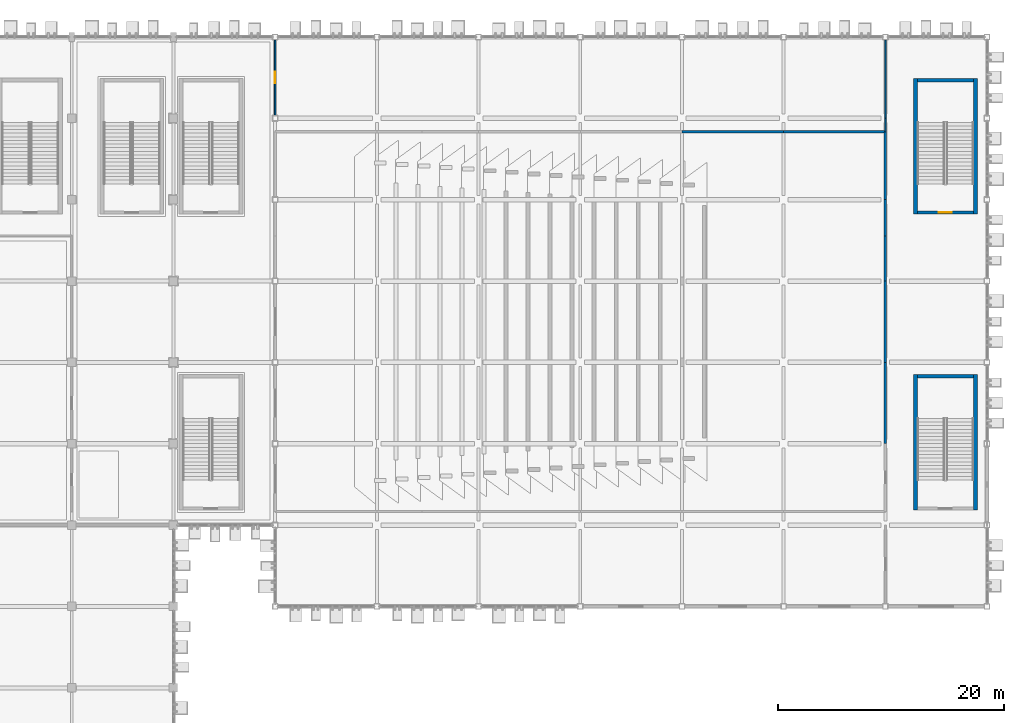
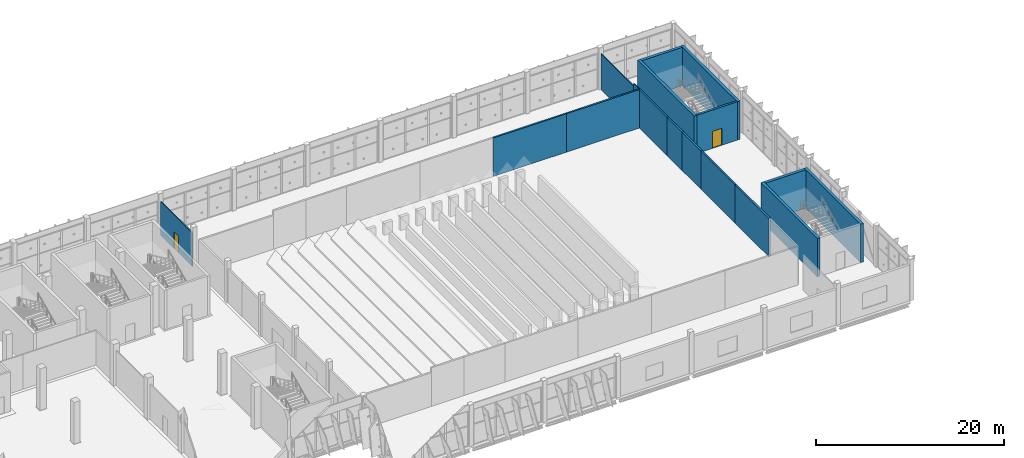
# One storey, part 143 of 189: 17 walls, 2 doors, 2 openings.
"""IFC4 building model written with IfcOpenShell, lengths in metres."""

import ifcopenshell
import ifcopenshell.guid

model = None  # the IFC model being written
_history = None  # IfcOwnerHistory: only IFC2X3 demands one
_inside = {}  # id of a spatial element -> (the spatial element, [elements in it])
_under = {}  # id of a project, library or spatial element -> (it, [spatial elements below it])
_declared = {}  # id of a project -> (the project, [libraries it declares])
_typed = {}  # id of a type object -> (the type object, [elements of that type])
_made_of = {}  # id of a material, layer set ... -> (it, [elements and type objects made of it])


def new_model(schema):
    """Start an empty IFC model of exactly this schema.

    Asked for "IFC4X3", IfcOpenShell would pick the latest addendum, in which some entities
    have other attributes; the version numbers below select the first issue.
    IFC2X3 requires an IfcOwnerHistory on every rooted entity: one is made here for all.
    """
    global model, _history
    if schema == "IFC4X3":
        model = ifcopenshell.file(schema_version=(4, 3, 0, 0))
    else:
        model = ifcopenshell.file(schema=schema)
    _inside.clear()
    _under.clear()
    _declared.clear()
    _typed.clear()
    _made_of.clear()
    _history = None
    if model.schema == "IFC2X3":
        org = make("IfcOrganization", Name="unknown")
        user = make(
            "IfcPersonAndOrganization",
            ThePerson=make("IfcPerson", FamilyName="unknown"),
            TheOrganization=org,
        )
        app = make(
            "IfcApplication",
            ApplicationDeveloper=org,
            Version="unknown",
            ApplicationFullName="unknown",
            ApplicationIdentifier="unknown",
        )
        _history = make(
            "IfcOwnerHistory",
            OwningUser=user,
            OwningApplication=app,
            ChangeAction="ADDED",
            CreationDate=0,
        )
    return model


def make(cls, **values):
    """One entity of the class cls with the attributes given. An attribute that is None is left unset."""
    return model.create_entity(
        cls, **{name: value for name, value in values.items() if value is not None}
    )


def rooted(cls, **values):
    """An entity with a GlobalId (a new one), such as an element, a storey or a relation."""
    return make(cls, GlobalId=ifcopenshell.guid.new(), OwnerHistory=_history, **values)


def si_unit(unit_type, name, prefix=None):
    """IfcSIUnit, for example si_unit("LENGTHUNIT", "METRE", prefix="MILLI")."""
    return make("IfcSIUnit", UnitType=unit_type, Prefix=prefix, Name=name)


def assignment(units):
    """IfcUnitAssignment: the units of a project."""
    return None if units is None else make("IfcUnitAssignment", Units=units)


def point(xyz):
    """IfcCartesianPoint."""
    return None if xyz is None else make("IfcCartesianPoint", Coordinates=xyz)


def direction(xyz):
    """IfcDirection."""
    return None if xyz is None else make("IfcDirection", DirectionRatios=xyz)


def frame(location, z_axis=None, x_axis=None):
    """IfcAxis2Placement3D, a coordinate frame: its origin and axes. An axis left out is left unset."""
    return make(
        "IfcAxis2Placement3D",
        Location=point(location),
        Axis=direction(z_axis),
        RefDirection=direction(x_axis),
    )


def frame_2d(location, x_axis=None):
    """IfcAxis2Placement2D, a coordinate frame in the plane: its origin and x axis."""
    return make(
        "IfcAxis2Placement2D", Location=point(location), RefDirection=direction(x_axis)
    )


def origin():
    """The frame at (0, 0, 0) with its axes left unset."""
    return frame((0.0, 0.0, 0.0))


def place(relative_to, where):
    """IfcLocalPlacement: puts the frame where relative to a parent placement (None: the world)."""
    return make(
        "IfcLocalPlacement", PlacementRelTo=relative_to, RelativePlacement=where
    )


def context(
    kind, dimensions, precision=None, world=None, true_north=None, identifier=None
):
    """IfcGeometricRepresentationContext, for example the 3D "Model" context."""
    return make(
        "IfcGeometricRepresentationContext",
        ContextIdentifier=identifier,
        ContextType=kind,
        CoordinateSpaceDimension=dimensions,
        Precision=precision,
        WorldCoordinateSystem=world,
        TrueNorth=true_north,
    )


def subcontext(parent, identifier, kind, view, scale=None):
    """IfcGeometricRepresentationSubContext, for example "Body" below "Model"."""
    return make(
        "IfcGeometricRepresentationSubContext",
        ContextIdentifier=identifier,
        ContextType=kind,
        ParentContext=parent,
        TargetScale=scale,
        TargetView=view,
    )


def project(units=None, contexts=None):
    """IfcProject with its units and contexts."""
    return rooted(
        "IfcProject",
        Name="project",
        RepresentationContexts=contexts,
        UnitsInContext=assignment(units),
    )


def spatial(cls, under=None, at=None, **own):
    """A site, building, storey or space (cls), placed at a placement, below another one or the project."""
    s = rooted(cls, ObjectPlacement=at, **own)
    if under is not None:
        _under.setdefault(under.id(), (under, []))[1].append(s)
    return s


def profile(cls, at=None, kind="AREA", **sizes):
    """A parametric profile (cls). Its sizes go by their IFC names, for example OverallWidth=200.0."""
    return make(cls, ProfileType=kind, Position=at, **sizes)


def rectangle(**sizes):
    """IfcRectangleProfileDef."""
    return profile("IfcRectangleProfileDef", **sizes)


def extrude(swept, where, along, depth):
    """IfcExtrudedAreaSolid: the profile swept, set in the frame where, extruded along a direction by depth."""
    return make(
        "IfcExtrudedAreaSolid",
        SweptArea=swept,
        Position=where,
        ExtrudedDirection=direction(along),
        Depth=depth,
    )


def shape(context_of_items, identifier, shape_type, items):
    """IfcShapeRepresentation: the items that make up one representation, for example the "Body"."""
    return make(
        "IfcShapeRepresentation",
        ContextOfItems=context_of_items,
        RepresentationIdentifier=identifier,
        RepresentationType=shape_type,
        Items=items,
    )


def material(Name=None, Category=None):
    """IfcMaterial."""
    return make("IfcMaterial", Name=Name, Category=Category)


def layer(
    of_material, thickness, ventilated=None, Name=None, Category=None, Priority=None
):
    """IfcMaterialLayer: one layer of a wall or slab, of a material (None: an air gap)."""
    return make(
        "IfcMaterialLayer",
        Material=of_material,
        LayerThickness=thickness,
        IsVentilated=ventilated,
        Name=Name,
        Category=Category,
        Priority=Priority,
    )


def layer_set(layers, Name=None):
    """IfcMaterialLayerSet."""
    return make("IfcMaterialLayerSet", MaterialLayers=layers, LayerSetName=Name)


def made_of(thing, what):
    """Note that an element or type object is made of a material, layer set ...; save() writes the relation."""
    if what is not None:
        _made_of.setdefault(what.id(), (what, []))[1].append(thing)
    return thing


def type_object(cls, material=None, **own):
    """A type object (cls), such as IfcWallType, which elements share."""
    return made_of(rooted(cls, **own), material)


def element(
    cls,
    number,
    at=None,
    inside=None,
    cuts=None,
    type_object=None,
    material=None,
    context=None,
    identifier="Body",
    shape_type=None,
    held_by="IfcProductDefinitionShape",
    body=None,
    shapes=None,
    **own,
):
    """One element of the class cls, such as IfcWall. Its Tag is "e" and its number.

    at: its placement. inside: the storey or other place that contains it. cuts: it is an
    opening in that element (IfcRelVoidsElement). A single representation is given by context,
    identifier, shape_type and body (its items); several are given by shapes. held_by: the class
    of the entity that holds the representations. save() writes the other relations.
    """
    e = rooted(cls, Tag="e%d" % number, ObjectPlacement=at, **own)
    if body is not None:
        shapes = [shape(context, identifier, shape_type, body)]
    if shapes is not None:
        e.Representation = make(held_by, Representations=shapes)
    if inside is not None:
        _inside.setdefault(inside.id(), (inside, []))[1].append(e)
    if cuts is not None:
        rooted(
            "IfcRelVoidsElement", RelatingBuildingElement=cuts, RelatedOpeningElement=e
        )
    if type_object is not None:
        _typed.setdefault(type_object.id(), (type_object, []))[1].append(e)
    return made_of(e, material)


def fill(opening, filler):
    """IfcRelFillsElement: the door or window that sits in an opening."""
    return rooted(
        "IfcRelFillsElement",
        RelatingOpeningElement=opening,
        RelatedBuildingElement=filler,
    )


def aggregate(whole, parts):
    """IfcRelAggregates: a whole, such as a stair, and the parts it consists of."""
    return rooted("IfcRelAggregates", RelatingObject=whole, RelatedObjects=parts)


def save(model, path):
    """Write the relations noted so far, then the file.

    IfcRelAggregates (storeys below a building ...), IfcRelContainedInSpatialStructure (elements
    in a storey), IfcRelDefinesByType, IfcRelAssociatesMaterial and IfcRelDeclares: one each for
    every whole, place, type object, material and project.
    """
    for whole, parts in _under.values():
        aggregate(whole, parts)
    for where, things in _inside.values():
        rooted(
            "IfcRelContainedInSpatialStructure",
            RelatedElements=things,
            RelatingStructure=where,
        )
    for kind, things in _typed.values():
        rooted("IfcRelDefinesByType", RelatedObjects=things, RelatingType=kind)
    for what, things in _made_of.values():
        rooted("IfcRelAssociatesMaterial", RelatedObjects=things, RelatingMaterial=what)
    for by, libraries in _declared.values():
        rooted("IfcRelDeclares", RelatingContext=by, RelatedDefinitions=libraries)
    model.write(path)


model = new_model("IFC4")

# Units and contexts
model_context = context("Model", 3, precision=1e-05, world=origin(), true_north=direction((0.0, 1.0)))
body_context = subcontext(model_context, "Body", "Model", "MODEL_VIEW")
ifc_project = project(units=[si_unit("LENGTHUNIT", "METRE"), si_unit("AREAUNIT", "SQUARE_METRE"), si_unit("VOLUMEUNIT", "CUBIC_METRE"), si_unit("PLANEANGLEUNIT", "RADIAN"), si_unit("MASSUNIT", "GRAM", prefix="KILO")], contexts=[model_context])

# Site, building, storey
site_placement = place(None, origin())
site = spatial("IfcSite", under=ifc_project, at=site_placement, CompositionType="ELEMENT")
building_placement = place(site_placement, origin())
building = spatial("IfcBuilding", under=site, at=building_placement, Name="Celestram Park Convention Centre", CompositionType="ELEMENT")
storey_placement = place(building_placement, frame((0.0, 0.0, 5.39990234375)))
storey = spatial("IfcBuildingStorey", under=building, at=storey_placement, Name="L01", CompositionType="ELEMENT", Elevation=5.39990234375)

# Walls
ifc_material_1 = material(Name="Double-Stud Acoustic Gypsum Assembly", Category="gypsum")
ifc_layer_1 = layer(ifc_material_1, 0.199951171875)
ifc_layer_set_1 = layer_set([ifc_layer_1], Name="Double-Stud Acoustic Gypsum Assembly")
wall_type_1 = type_object("IfcWallType", Name="ARC-WL-ACO200", PredefinedType="PARTITIONING", material=ifc_layer_set_1)
for number, where, z_axis, x_axis, name in (
    (1, (189.0, 157.199951171875, 0.0), (0.0, 0.0, 1.0), (1.0, 0.0, 0.0), "Interior partition WL-L01-IN0740"),
    (2, (198.0, 157.199951171875, 0.0), (0.0, 0.0, 1.0), (1.0, 0.0, 0.0), "Interior partition WL-L01-IN0741"),
):
    element("IfcWall", number, at=place(storey_placement, frame(where, z_axis=z_axis, x_axis=x_axis)), inside=storey, type_object=wall_type_1, Name=name, PredefinedType="PARTITIONING", context=body_context, shape_type="SweptSolid", body=[
        extrude(rectangle(XDim=9.0, YDim=0.199951171875, at=frame_2d((4.5, 0.0))), origin(), (0.0, 0.0, 1.0), 4.97998046875),
    ])
for number, where, z_axis, x_axis, name in (
    (3, (207.0, 129.60009765625, 0.0), (0.0, 0.0, 1.0), (0.0, 1.0, 0.0), "Interior partition WL-L01-IN0788"),
    (4, (207.0, 136.800048828125, 0.0), (0.0, 0.0, 1.0), (0.0, 1.0, 0.0), "Interior partition WL-L01-IN0789"),
):
    element("IfcWall", number, at=place(storey_placement, frame(where, z_axis=z_axis, x_axis=x_axis)), inside=storey, type_object=wall_type_1, Name=name, PredefinedType="PARTITIONING", context=body_context, shape_type="SweptSolid", body=[
        extrude(rectangle(XDim=7.199951171875, YDim=0.199951171875, at=frame_2d((3.60009765625, 0.0))), origin(), (0.0, 0.0, 1.0), 4.97998046875),
    ])
wall_1_placement = place(storey_placement, frame((207.0, 144.0, 0.0), z_axis=(0.0, 0.0, 1.0), x_axis=(0.0, 1.0, 0.0)))
element("IfcWall", 5, at=wall_1_placement, inside=storey, type_object=wall_type_1, Name="Interior partition WL-L01-IN0790", PredefinedType="PARTITIONING", context=body_context, shape_type="SweptSolid", body=[
    extrude(rectangle(XDim=4.0, YDim=0.199951171875, at=frame_2d((2.0, 0.0))), origin(), (0.0, 0.0, 1.0), 4.97998046875),
])
wall_2_placement = place(storey_placement, frame((207.0, 148.0, 0.0), z_axis=(0.0, 0.0, 1.0), x_axis=(0.0, 1.0, 0.0)))
element("IfcWall", 6, at=wall_2_placement, inside=storey, type_object=wall_type_1, Name="Interior partition WL-L01-IN0791", PredefinedType="PARTITIONING", context=body_context, shape_type="SweptSolid", body=[
    extrude(rectangle(XDim=3.199951171875, YDim=0.199951171875, at=frame_2d((1.60009765625, 0.0))), origin(), (0.0, 0.0, 1.0), 4.97998046875),
])
wall_3_placement = place(storey_placement, frame((207.0, 151.199951171875, 0.0), z_axis=(0.0, 0.0, 1.0), x_axis=(0.0, 1.0, 0.0)))
element("IfcWall", 7, at=wall_3_placement, inside=storey, type_object=wall_type_1, Name="Interior partition WL-L01-IN0792", PredefinedType="PARTITIONING", context=body_context, shape_type="SweptSolid", body=[
    extrude(rectangle(XDim=6.0, YDim=0.199951171875, at=frame_2d((3.0, 0.0))), origin(), (0.0, 0.0, 1.0), 4.97998046875),
])

# Wall, opening, door
ifc_material_2 = material(Name="Concrete Block Masonry C25/30", Category="masonry")
ifc_layer_2 = layer(ifc_material_2, 0.25)
ifc_layer_set_2 = layer_set([ifc_layer_2], Name="Concrete Block Masonry C25/30")
wall_type_2 = type_object("IfcWallType", Name="ARC-WL-COR250", PredefinedType="STANDARD", material=ifc_layer_set_2)
wall_4_placement = place(storey_placement, frame((209.840087890625, 150.074951171875, 0.0), z_axis=(0.0, 0.0, 1.0), x_axis=(1.0, 0.0, 0.0)))
wall_4 = element("IfcWall", 8, at=wall_4_placement, inside=storey, type_object=wall_type_2, Name="Core S07 stair entrance wall", PredefinedType="STANDARD", context=body_context, shape_type="SweptSolid", body=[
    extrude(rectangle(XDim=4.9599609375, YDim=0.25, at=frame_2d((2.47998046875, 0.0))), origin(), (0.0, 0.0, 1.0), 4.97998046875),
])
opening_1_placement = place(wall_4_placement, frame((1.905029296875, 0.0, 0.0)))
opening_1 = element("IfcOpeningElement", 9, at=opening_1_placement, cuts=wall_4, Name="Opening D-ST1", PredefinedType="OPENING", context=body_context, shape_type="SweptSolid", body=[
    extrude(rectangle(XDim=1.14990234375, YDim=2.199951171875, at=frame_2d((0.574951171875, 1.10009765625))), frame((0.0, 0.135009765625, 0.0), z_axis=(0.0, -1.0, 0.0), x_axis=(1.0, 0.0, 0.0)), (0.0, 0.0, 1.0), 0.27001953125),
])
ifc_material_3 = material(Name="Fire-Rated Hollow Metal Steel ASTM A653", Category="steel")
door_type_1 = type_object("IfcDoorType", Name="ARC-DR-ST115", OperationType="NOTDEFINED", PredefinedType="DOOR", material=ifc_material_3)
door_1_placement = place(opening_1_placement, origin())
door_1 = element("IfcDoor", 10, at=door_1_placement, inside=storey, type_object=door_type_1, Name="Exit stair ST-07 fire door", OperationType="SINGLE_SWING_RIGHT", OverallHeight=2.199951171875, OverallWidth=1.14990234375, PredefinedType="DOOR", context=body_context, shape_type="SweptSolid", body=[
    extrude(rectangle(XDim=1.14990234375, YDim=2.199951171875, at=frame_2d((0.574951171875, 1.10009765625))), frame((0.0, 0.02490234375, 0.0), z_axis=(0.0, -1.0, 0.0), x_axis=(1.0, 0.0, 0.0)), (0.0, 0.0, 1.0), 0.050048828125),
])
fill(opening_1, door_1)

ifc_material_4 = material(Name="Standard Gypsum & Steel Stud 120 mm", Category="steel")
ifc_layer_3 = layer(ifc_material_4, 0.1201171875)
ifc_layer_set_3 = layer_set([ifc_layer_3], Name="Standard Gypsum & Steel Stud 120 mm")
wall_type_3 = type_object("IfcWallType", Name="ARC-WL-PRT120", PredefinedType="PARTITIONING", material=ifc_layer_set_3)
wall_5_placement = place(storey_placement, frame((153.0, 158.64794921875, 0.0), z_axis=(0.0, 0.0, 1.0), x_axis=(0.0, 1.0, 0.0)))
wall_5 = element("IfcWall", 11, at=wall_5_placement, inside=storey, type_object=wall_type_3, Name="Interior partition WL-L01-IN0779", PredefinedType="PARTITIONING", context=body_context, shape_type="SweptSolid", body=[
    extrude(rectangle(XDim=6.7041015625, YDim=0.1201171875, at=frame_2d((3.35205078125, 0.0))), origin(), (0.0, 0.0, 1.0), 4.3681640625),
])
opening_2_placement = place(wall_5_placement, frame((2.85205078125, 0.0, 0.0)))
opening_2 = element("IfcOpeningElement", 12, at=opening_2_placement, cuts=wall_5, Name="Opening D-07", PredefinedType="OPENING", context=body_context, shape_type="SweptSolid", body=[
    extrude(rectangle(XDim=1.0, YDim=2.14990234375, at=frame_2d((0.5, 1.074951171875))), frame((0.0, 0.070068359375, 0.0), z_axis=(0.0, -1.0, 0.0), x_axis=(1.0, 0.0, 0.0)), (0.0, 0.0, 1.0), 0.14013671875),
])
ifc_material_5 = material(Name="Solid Core White Oak Single Door", Category="wood")
door_type_2 = type_object("IfcDoorType", Name="ARC-DR-RM100", OperationType="NOTDEFINED", PredefinedType="DOOR", material=ifc_material_5)
door_2_placement = place(opening_2_placement, origin())
door_2 = element("IfcDoor", 13, at=door_2_placement, inside=storey, type_object=door_type_2, Name="Plenary Vomitory V-02 entrance door", OperationType="SINGLE_SWING_RIGHT", OverallHeight=2.14990234375, OverallWidth=1.0, PredefinedType="DOOR", context=body_context, shape_type="SweptSolid", body=[
    extrude(rectangle(XDim=1.0, YDim=2.14990234375, at=frame_2d((0.5, 1.074951171875))), frame((0.0, 0.02490234375, 0.0), z_axis=(0.0, -1.0, 0.0), x_axis=(1.0, 0.0, 0.0)), (0.0, 0.0, 1.0), 0.050048828125),
])
fill(opening_2, door_2)

# Walls
wall_6_placement = place(storey_placement, frame((207.0, 157.199951171875, 0.0), z_axis=(0.0, 0.0, 1.0), x_axis=(0.0, 1.0, 0.0)))
element("IfcWall", 14, at=wall_6_placement, inside=storey, type_object=wall_type_3, Name="Interior partition WL-L01-IN0793", PredefinedType="PARTITIONING", context=body_context, shape_type="SweptSolid", body=[
    extrude(rectangle(XDim=1.199951171875, YDim=0.1201171875, at=frame_2d((0.60009765625, 0.0))), origin(), (0.0, 0.0, 1.0), 4.97998046875),
])
wall_7_placement = place(storey_placement, frame((207.0, 158.39990234375, 0.0), z_axis=(0.0, 0.0, 1.0), x_axis=(0.0, 1.0, 0.0)))
element("IfcWall", 15, at=wall_7_placement, inside=storey, type_object=wall_type_3, Name="Interior partition WL-L01-IN0794", PredefinedType="PARTITIONING", context=body_context, shape_type="SweptSolid", body=[
    extrude(rectangle(XDim=6.9521484375, YDim=0.1201171875, at=frame_2d((3.47607421875, 0.0))), origin(), (0.0, 0.0, 1.0), 4.6240234375),
])
ifc_material_6 = material(Name="Concrete C40/50", Category="concrete")
ifc_layer_4 = layer(ifc_material_6, 0.340087890625)
ifc_layer_set_4 = layer_set([ifc_layer_4], Name="Concrete C40/50")
wall_type_4 = type_object("IfcWallType", Name="STR-WL-SHR340", PredefinedType="SHEAR", material=ifc_layer_set_4)
for number, where, z_axis, x_axis, name in (
    (16, (209.669921875, 149.949951171875, 0.0), (0.0, 0.0, 1.0), (0.0, 1.0, 0.0), "Core S07 shear wall L"),
    (17, (214.969970703125, 161.93994140625, 0.0), (0.0, 0.0, 1.0), (0.0, -1.0, 0.0), "Core S07 shear wall R"),
):
    element("IfcWall", number, at=place(storey_placement, frame(where, z_axis=z_axis, x_axis=x_axis)), inside=storey, type_object=wall_type_4, Name=name, PredefinedType="SHEAR", context=body_context, shape_type="SweptSolid", body=[
        extrude(rectangle(XDim=11.989990234375, YDim=0.340087890625, at=frame_2d((5.9951171875, 0.0))), origin(), (0.0, 0.0, 1.0), 4.97998046875),
    ])
wall_8_placement = place(storey_placement, frame((209.840087890625, 161.77001953125, 0.0), z_axis=(0.0, 0.0, 1.0), x_axis=(1.0, 0.0, 0.0)))
element("IfcWall", 18, at=wall_8_placement, inside=storey, type_object=wall_type_4, Name="Core S07 shear wall F", PredefinedType="SHEAR", context=body_context, shape_type="SweptSolid", body=[
    extrude(rectangle(XDim=4.9599609375, YDim=0.340087890625, at=frame_2d((2.47998046875, 0.0))), origin(), (0.0, 0.0, 1.0), 4.97998046875),
])
for number, where, z_axis, x_axis, name in (
    (19, (209.669921875, 123.75, 0.0), (0.0, 0.0, 1.0), (0.0, 1.0, 0.0), "Core S08 shear wall L"),
    (20, (214.969970703125, 135.739990234375, 0.0), (0.0, 0.0, 1.0), (0.0, -1.0, 0.0), "Core S08 shear wall R"),
):
    element("IfcWall", number, at=place(storey_placement, frame(where, z_axis=z_axis, x_axis=x_axis)), inside=storey, type_object=wall_type_4, Name=name, PredefinedType="SHEAR", context=body_context, shape_type="SweptSolid", body=[
        extrude(rectangle(XDim=11.989990234375, YDim=0.340087890625, at=frame_2d((5.9951171875, 0.0))), origin(), (0.0, 0.0, 1.0), 4.97998046875),
    ])
wall_9_placement = place(storey_placement, frame((209.840087890625, 135.570068359375, 0.0), z_axis=(0.0, 0.0, 1.0), x_axis=(1.0, 0.0, 0.0)))
element("IfcWall", 21, at=wall_9_placement, inside=storey, type_object=wall_type_4, Name="Core S08 shear wall F", PredefinedType="SHEAR", context=body_context, shape_type="SweptSolid", body=[
    extrude(rectangle(XDim=4.9599609375, YDim=0.340087890625, at=frame_2d((2.47998046875, 0.0))), origin(), (0.0, 0.0, 1.0), 4.97998046875),
])

save(model, "model.ifc")
